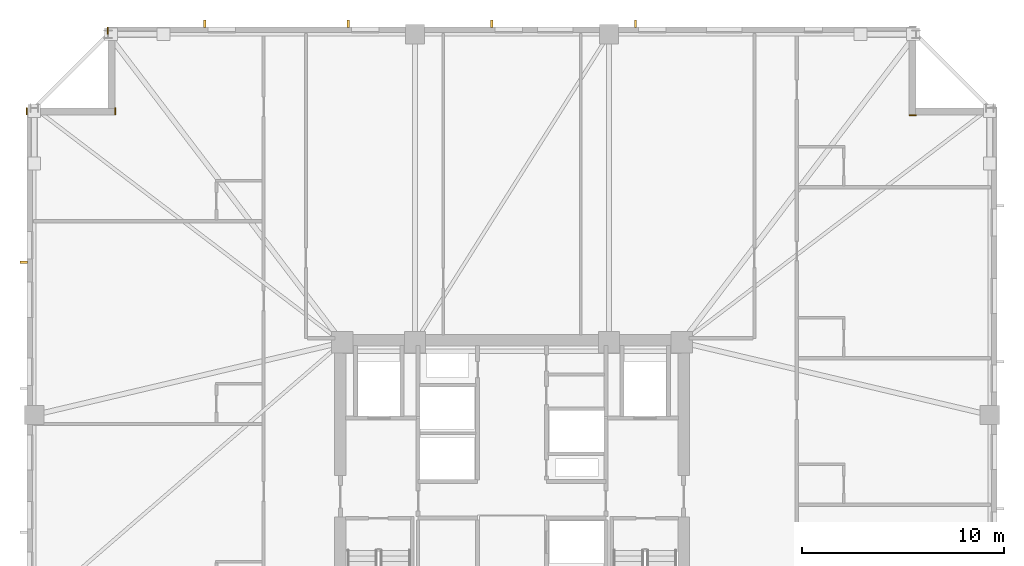
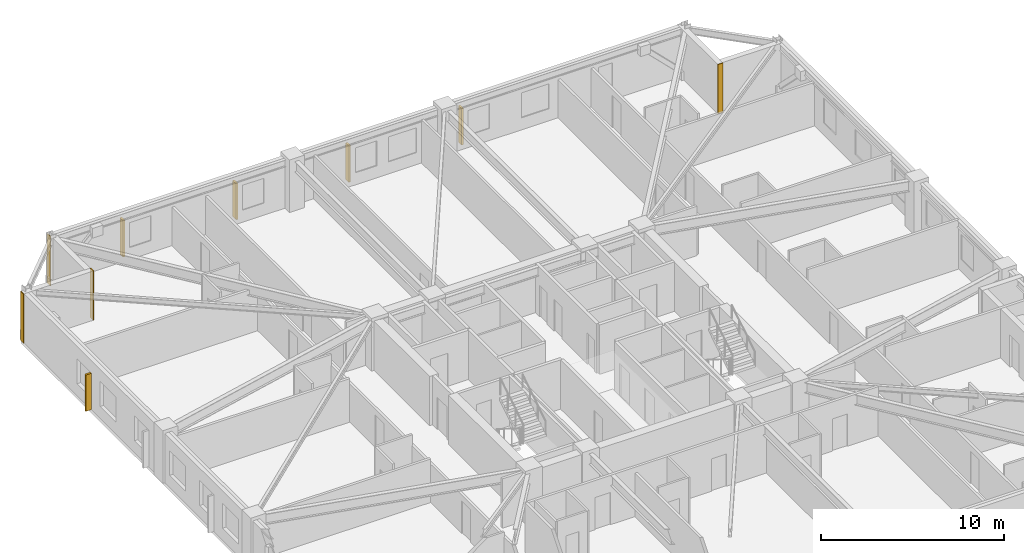
# One storey, part 10 of 11: 5 shading devices, 4 coverings.
"""IFC4 building model written with IfcOpenShell, lengths in metres."""

import ifcopenshell
import ifcopenshell.guid

model = None  # the IFC model being written
_history = None  # IfcOwnerHistory: only IFC2X3 demands one
_inside = {}  # id of a spatial element -> (the spatial element, [elements in it])
_under = {}  # id of a project, library or spatial element -> (it, [spatial elements below it])
_declared = {}  # id of a project -> (the project, [libraries it declares])
_typed = {}  # id of a type object -> (the type object, [elements of that type])
_made_of = {}  # id of a material, layer set ... -> (it, [elements and type objects made of it])


def new_model(schema):
    """Start an empty IFC model of exactly this schema.

    Asked for "IFC4X3", IfcOpenShell would pick the latest addendum, in which some entities
    have other attributes; the version numbers below select the first issue.
    IFC2X3 requires an IfcOwnerHistory on every rooted entity: one is made here for all.
    """
    global model, _history
    if schema == "IFC4X3":
        model = ifcopenshell.file(schema_version=(4, 3, 0, 0))
    else:
        model = ifcopenshell.file(schema=schema)
    _inside.clear()
    _under.clear()
    _declared.clear()
    _typed.clear()
    _made_of.clear()
    _history = None
    if model.schema == "IFC2X3":
        org = make("IfcOrganization", Name="unknown")
        user = make(
            "IfcPersonAndOrganization",
            ThePerson=make("IfcPerson", FamilyName="unknown"),
            TheOrganization=org,
        )
        app = make(
            "IfcApplication",
            ApplicationDeveloper=org,
            Version="unknown",
            ApplicationFullName="unknown",
            ApplicationIdentifier="unknown",
        )
        _history = make(
            "IfcOwnerHistory",
            OwningUser=user,
            OwningApplication=app,
            ChangeAction="ADDED",
            CreationDate=0,
        )
    return model


def make(cls, **values):
    """One entity of the class cls with the attributes given. An attribute that is None is left unset."""
    return model.create_entity(
        cls, **{name: value for name, value in values.items() if value is not None}
    )


def rooted(cls, **values):
    """An entity with a GlobalId (a new one), such as an element, a storey or a relation."""
    return make(cls, GlobalId=ifcopenshell.guid.new(), OwnerHistory=_history, **values)


def si_unit(unit_type, name, prefix=None):
    """IfcSIUnit, for example si_unit("LENGTHUNIT", "METRE", prefix="MILLI")."""
    return make("IfcSIUnit", UnitType=unit_type, Prefix=prefix, Name=name)


def assignment(units):
    """IfcUnitAssignment: the units of a project."""
    return None if units is None else make("IfcUnitAssignment", Units=units)


def point(xyz):
    """IfcCartesianPoint."""
    return None if xyz is None else make("IfcCartesianPoint", Coordinates=xyz)


def direction(xyz):
    """IfcDirection."""
    return None if xyz is None else make("IfcDirection", DirectionRatios=xyz)


def frame(location, z_axis=None, x_axis=None):
    """IfcAxis2Placement3D, a coordinate frame: its origin and axes. An axis left out is left unset."""
    return make(
        "IfcAxis2Placement3D",
        Location=point(location),
        Axis=direction(z_axis),
        RefDirection=direction(x_axis),
    )


def frame_2d(location, x_axis=None):
    """IfcAxis2Placement2D, a coordinate frame in the plane: its origin and x axis."""
    return make(
        "IfcAxis2Placement2D", Location=point(location), RefDirection=direction(x_axis)
    )


def origin():
    """The frame at (0, 0, 0) with its axes left unset."""
    return frame((0.0, 0.0, 0.0))


def origin_2d():
    """The frame at (0, 0) in the plane with its x axis left unset."""
    return frame_2d((0.0, 0.0))


def place(relative_to, where):
    """IfcLocalPlacement: puts the frame where relative to a parent placement (None: the world)."""
    return make(
        "IfcLocalPlacement", PlacementRelTo=relative_to, RelativePlacement=where
    )


def context(
    kind, dimensions, precision=None, world=None, true_north=None, identifier=None
):
    """IfcGeometricRepresentationContext, for example the 3D "Model" context."""
    return make(
        "IfcGeometricRepresentationContext",
        ContextIdentifier=identifier,
        ContextType=kind,
        CoordinateSpaceDimension=dimensions,
        Precision=precision,
        WorldCoordinateSystem=world,
        TrueNorth=true_north,
    )


def subcontext(parent, identifier, kind, view, scale=None):
    """IfcGeometricRepresentationSubContext, for example "Body" below "Model"."""
    return make(
        "IfcGeometricRepresentationSubContext",
        ContextIdentifier=identifier,
        ContextType=kind,
        ParentContext=parent,
        TargetScale=scale,
        TargetView=view,
    )


def project(units=None, contexts=None):
    """IfcProject with its units and contexts."""
    return rooted(
        "IfcProject",
        Name="project",
        RepresentationContexts=contexts,
        UnitsInContext=assignment(units),
    )


def spatial(cls, under=None, at=None, **own):
    """A site, building, storey or space (cls), placed at a placement, below another one or the project."""
    s = rooted(cls, ObjectPlacement=at, **own)
    if under is not None:
        _under.setdefault(under.id(), (under, []))[1].append(s)
    return s


def profile(cls, at=None, kind="AREA", **sizes):
    """A parametric profile (cls). Its sizes go by their IFC names, for example OverallWidth=200.0."""
    return make(cls, ProfileType=kind, Position=at, **sizes)


def rectangle(**sizes):
    """IfcRectangleProfileDef."""
    return profile("IfcRectangleProfileDef", **sizes)


def extrude(swept, where, along, depth):
    """IfcExtrudedAreaSolid: the profile swept, set in the frame where, extruded along a direction by depth."""
    return make(
        "IfcExtrudedAreaSolid",
        SweptArea=swept,
        Position=where,
        ExtrudedDirection=direction(along),
        Depth=depth,
    )


def shape(context_of_items, identifier, shape_type, items):
    """IfcShapeRepresentation: the items that make up one representation, for example the "Body"."""
    return make(
        "IfcShapeRepresentation",
        ContextOfItems=context_of_items,
        RepresentationIdentifier=identifier,
        RepresentationType=shape_type,
        Items=items,
    )


def material(Name=None, Category=None):
    """IfcMaterial."""
    return make("IfcMaterial", Name=Name, Category=Category)


def layer(
    of_material, thickness, ventilated=None, Name=None, Category=None, Priority=None
):
    """IfcMaterialLayer: one layer of a wall or slab, of a material (None: an air gap)."""
    return make(
        "IfcMaterialLayer",
        Material=of_material,
        LayerThickness=thickness,
        IsVentilated=ventilated,
        Name=Name,
        Category=Category,
        Priority=Priority,
    )


def layer_set(layers, Name=None):
    """IfcMaterialLayerSet."""
    return make("IfcMaterialLayerSet", MaterialLayers=layers, LayerSetName=Name)


def made_of(thing, what):
    """Note that an element or type object is made of a material, layer set ...; save() writes the relation."""
    if what is not None:
        _made_of.setdefault(what.id(), (what, []))[1].append(thing)
    return thing


def type_object(cls, material=None, **own):
    """A type object (cls), such as IfcWallType, which elements share."""
    return made_of(rooted(cls, **own), material)


def element(
    cls,
    number,
    at=None,
    inside=None,
    cuts=None,
    type_object=None,
    material=None,
    context=None,
    identifier="Body",
    shape_type=None,
    held_by="IfcProductDefinitionShape",
    body=None,
    shapes=None,
    **own,
):
    """One element of the class cls, such as IfcWall. Its Tag is "e" and its number.

    at: its placement. inside: the storey or other place that contains it. cuts: it is an
    opening in that element (IfcRelVoidsElement). A single representation is given by context,
    identifier, shape_type and body (its items); several are given by shapes. held_by: the class
    of the entity that holds the representations. save() writes the other relations.
    """
    e = rooted(cls, Tag="e%d" % number, ObjectPlacement=at, **own)
    if body is not None:
        shapes = [shape(context, identifier, shape_type, body)]
    if shapes is not None:
        e.Representation = make(held_by, Representations=shapes)
    if inside is not None:
        _inside.setdefault(inside.id(), (inside, []))[1].append(e)
    if cuts is not None:
        rooted(
            "IfcRelVoidsElement", RelatingBuildingElement=cuts, RelatedOpeningElement=e
        )
    if type_object is not None:
        _typed.setdefault(type_object.id(), (type_object, []))[1].append(e)
    return made_of(e, material)


def aggregate(whole, parts):
    """IfcRelAggregates: a whole, such as a stair, and the parts it consists of."""
    return rooted("IfcRelAggregates", RelatingObject=whole, RelatedObjects=parts)


def save(model, path):
    """Write the relations noted so far, then the file.

    IfcRelAggregates (storeys below a building ...), IfcRelContainedInSpatialStructure (elements
    in a storey), IfcRelDefinesByType, IfcRelAssociatesMaterial and IfcRelDeclares: one each for
    every whole, place, type object, material and project.
    """
    for whole, parts in _under.values():
        aggregate(whole, parts)
    for where, things in _inside.values():
        rooted(
            "IfcRelContainedInSpatialStructure",
            RelatedElements=things,
            RelatingStructure=where,
        )
    for kind, things in _typed.values():
        rooted("IfcRelDefinesByType", RelatedObjects=things, RelatingType=kind)
    for what, things in _made_of.values():
        rooted("IfcRelAssociatesMaterial", RelatedObjects=things, RelatingMaterial=what)
    for by, libraries in _declared.values():
        rooted("IfcRelDeclares", RelatingContext=by, RelatedDefinitions=libraries)
    model.write(path)


model = new_model("IFC4")

# Units and contexts
model_context = context("Model", 3, precision=1e-05, world=origin(), true_north=direction((0.0, 1.0)))
body_context = subcontext(model_context, "Body", "Model", "MODEL_VIEW")
ifc_project = project(units=[si_unit("LENGTHUNIT", "METRE"), si_unit("AREAUNIT", "SQUARE_METRE"), si_unit("VOLUMEUNIT", "CUBIC_METRE"), si_unit("PLANEANGLEUNIT", "RADIAN"), si_unit("MASSUNIT", "GRAM", prefix="KILO")], contexts=[model_context])

# Site, building, storey
site_placement = place(None, origin())
site = spatial("IfcSite", under=ifc_project, at=site_placement, CompositionType="ELEMENT")
building_placement = place(site_placement, origin())
building = spatial("IfcBuilding", under=site, at=building_placement, Name="Cairnveth Concourse Tower", CompositionType="ELEMENT")
storey_placement = place(building_placement, frame((0.0, 0.0, 176.0)))
storey = spatial("IfcBuildingStorey", under=building, at=storey_placement, Name="L48", CompositionType="ELEMENT", Elevation=176.0)

# Coverings
ifc_material_1 = material(Name="Dressed Melbourne Bluestone Cladding", Category="masonry")
ifc_layer = layer(ifc_material_1, 0.050048828125)
ifc_layer_set = layer_set([ifc_layer], Name="Dressed Melbourne Bluestone Cladding")
covering_type = type_object("IfcCoveringType", Name="DRESSED BLUESTONE PLINTH CLADDING 50", PredefinedType="CLADDING", material=ifc_layer_set)
for number, where, z_axis, x_axis, name in (
    (1, (27.97998046875, 58.659912109375, 0.0), (0.0, 0.0, 1.0), (0.0, 1.0, 0.0), "Melbourne Bluestone Corner Quoin L48-714"),
    (2, (32.360107421875, 58.659912109375, 0.0), (0.0, 0.0, 1.0), (0.0, 1.0, 0.0), "Melbourne Bluestone Corner Quoin L48-715"),
    (3, (31.97998046875, 62.659912109375, 0.0), (0.0, 0.0, 1.0), (0.0, 1.0, 0.0), "Melbourne Bluestone Corner Quoin L48-716"),
    (4, (71.659912109375, 58.639892578125, 0.0), (0.0, 0.0, 1.0), (1.0, 0.0, 0.0), "Melbourne Bluestone Corner Quoin L48-718"),
):
    element("IfcCovering", number, at=place(storey_placement, frame(where, z_axis=z_axis, x_axis=x_axis)), inside=storey, type_object=covering_type, Name=name, PredefinedType="CLADDING", context=body_context, shape_type="SweptSolid", body=[
        extrude(rectangle(XDim=0.340087890625, YDim=0.050048828125, at=frame_2d((0.169921875, 0.0))), origin(), (0.0, 0.0, 1.0), 3.280029296875),
    ])

# Shading devices
ifc_material_2 = material(Name="Architectural Bronze Anodised Aluminium 6063-T6", Category="aluminium")
shading_device_type = type_object("IfcShadingDeviceType", Name="GOTHIC BRONZE VERTICAL LANCET FIN", PredefinedType="USERDEFINED", material=ifc_material_2)
for number, where, z_axis, x_axis, name in (
    (5, (27.824951171875, 51.3701171875, 0.030029296875), (0.0, 0.0, 1.0), (0.0, 1.0, 0.0), "Gothic Bronze Vertical Fin L48-6-9"),
    (6, (36.791748046875, 63.175048828125, 0.030029296875), (0.0, 0.0, 1.0), (1.0, 0.0, 0.0), "Gothic Bronze Vertical Fin L48-9-1"),
    (7, (43.89892578125, 63.175048828125, 0.030029296875), (0.0, 0.0, 1.0), (1.0, 0.0, 0.0), "Gothic Bronze Vertical Fin L48-9-3"),
    (8, (51.006103515625, 63.175048828125, 0.030029296875), (0.0, 0.0, 1.0), (1.0, 0.0, 0.0), "Gothic Bronze Vertical Fin L48-9-5"),
    (9, (58.113037109375, 63.175048828125, 0.030029296875), (0.0, 0.0, 1.0), (1.0, 0.0, 0.0), "Gothic Bronze Vertical Fin L48-9-7"),
):
    element("IfcShadingDevice", number, at=place(storey_placement, frame(where, z_axis=z_axis, x_axis=x_axis)), inside=storey, type_object=shading_device_type, Name=name, ObjectType="VERTICAL FIN", PredefinedType="USERDEFINED", context=body_context, shape_type="SweptSolid", body=[
        extrude(rectangle(XDim=0.1201171875, YDim=0.360107421875, at=origin_2d()), origin(), (0.0, 0.0, 1.0), 2.419921875),
    ])

save(model, "model.ifc")
